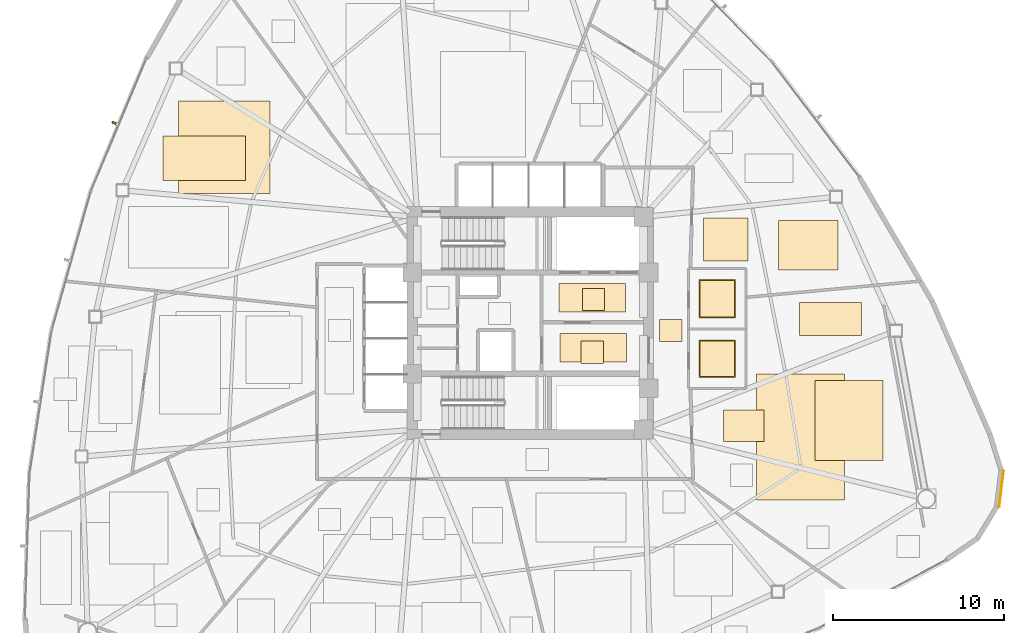
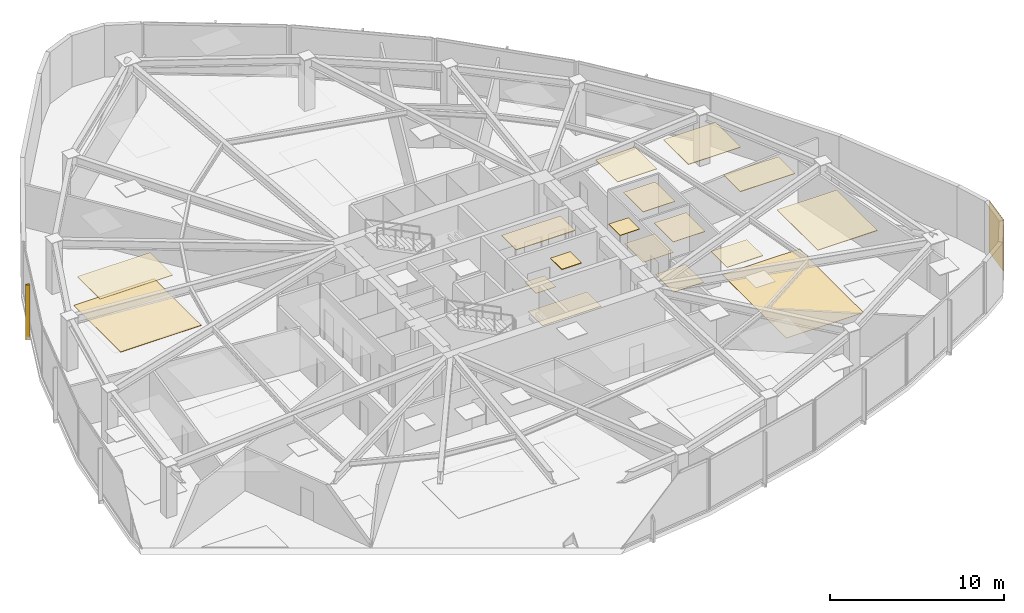
# One storey, part 16 of 17: 18 coverings, 1 shading device.
"""IFC4 building model written with IfcOpenShell, lengths in metres."""

from ifc_helpers import new_model, si_unit, direction, frame, origin, origin_2d, place, context, subcontext, project, spatial, polyline, rectangle, outline, extrude, source, transform, mapped, material, layer, layer_set, type_object, type_shapes, element, save


model = new_model("IFC4")

# Units and contexts
model_context = context("Model", 3, precision=1e-05, world=origin(), true_north=direction((0.0, 1.0)))
body_context = subcontext(model_context, "Body", "Model", "MODEL_VIEW")
ifc_project = project(units=[si_unit("LENGTHUNIT", "METRE"), si_unit("AREAUNIT", "SQUARE_METRE"), si_unit("VOLUMEUNIT", "CUBIC_METRE"), si_unit("PLANEANGLEUNIT", "RADIAN"), si_unit("MASSUNIT", "GRAM", prefix="KILO")], contexts=[model_context])

# Site, building, storey
site_placement = place(None, origin())
site = spatial("IfcSite", under=ifc_project, at=site_placement, CompositionType="ELEMENT")
building_placement = place(site_placement, origin())
building = spatial("IfcBuilding", under=site, at=building_placement, Name="Tavelor Broadcast Tower", CompositionType="ELEMENT")
storey_placement = place(building_placement, frame((0.0, 0.0, 70.5)))
storey = spatial("IfcBuildingStorey", under=building, at=storey_placement, Name="L16", CompositionType="ELEMENT", Elevation=70.5)

# Coverings
ifc_material_1 = material(Name="Copper-Bronze Anodized Aluminium", Category="aluminium")
ifc_layer_1 = layer(ifc_material_1, 0.044921875)
ifc_layer_set_1 = layer_set([ifc_layer_1], Name="Copper-Bronze Anodized Aluminium")
covering_type_1 = type_object("IfcCoveringType", Name="Anodised Bronze Linear Slatted Concourse Ceiling 45 mm", PredefinedType="CEILING", material=ifc_layer_set_1)
covering_1_placement = place(storey_placement, frame((0.0, 0.0, 3.554931640625)))
element("IfcCovering", 1, at=covering_1_placement, inside=storey, type_object=covering_type_1, Name="L16 Suspended Acoustic Ceiling 0636", PredefinedType="CEILING", context=body_context, shape_type="SweptSolid", body=[
    extrude(outline(polyline([(51.659912109375, 45.654296875), (55.55712890625, 45.654296875), (55.55712890625, 47.331787109375), (51.659912109375, 47.331787109375), (51.659912109375, 45.654296875)])), origin(), (0.0, 0.0, 1.0), 0.045166015625),
])
covering_2_placement = place(storey_placement, frame((0.0, 0.0, 3.554931640625)))
element("IfcCovering", 2, at=covering_2_placement, inside=storey, type_object=covering_type_1, Name="L16 Suspended Acoustic Ceiling 0637", PredefinedType="CEILING", context=body_context, shape_type="SweptSolid", body=[
    extrude(outline(polyline([(52.95361328125, 42.656982421875), (54.25341796875, 42.656982421875), (54.25341796875, 43.95703125), (52.95361328125, 43.95703125), (52.95361328125, 42.656982421875)])), origin(), (0.0, 0.0, 1.0), 0.045166015625),
])
ifc_layer_2 = layer(ifc_material_1, 0.050048828125)
ifc_layer_set_2 = layer_set([ifc_layer_2], Name="Copper-Bronze Anodized Aluminium")
covering_type_2 = type_object("IfcCoveringType", Name="Champagne-Bronze Corner Pier Metal Cladding 50 mm", PredefinedType="CLADDING", material=ifc_layer_set_2)
covering_3_placement = place(storey_placement, frame((77.4912109375, 35.323974609375, 0.02001953125), z_axis=(0.0, 0.0, 1.0), x_axis=(0.122735456807, 0.992439422656, 0.0)))
element("IfcCovering", 3, at=covering_3_placement, inside=storey, type_object=covering_type_2, Name="L16 Champagne-Bronze Corner Cladding 23", PredefinedType="CLADDING", context=body_context, shape_type="SweptSolid", body=[
    extrude(rectangle(XDim=2.1240234375, YDim=0.050048828125, at=origin_2d()), origin(), (0.0, 0.0, 1.0), 3.56005859375),
])
ifc_material_2 = material(Name="Architectural Anodized Aluminium", Category="aluminium")
ifc_layer_3 = layer(ifc_material_2, 0.034912109375)
ifc_layer_set_3 = layer_set([ifc_layer_3], Name="Architectural Anodized Aluminium")
covering_type_3 = type_object("IfcCoveringType", Name="Demountable Metal Tile Corridor Ceiling 35 mm", PredefinedType="CEILING", material=ifc_layer_set_3)
covering_4_placement = place(storey_placement, frame((0.0, 0.0, 3.56494140625)))
element("IfcCovering", 4, at=covering_4_placement, inside=storey, type_object=covering_type_3, Name="L16 Suspended Acoustic Ceiling 0640", PredefinedType="CEILING", context=body_context, shape_type="SweptSolid", body=[
    extrude(outline(polyline([(57.5400390625, 43.925048828125), (58.840087890625, 43.925048828125), (58.840087890625, 45.22509765625), (57.5400390625, 45.22509765625), (57.5400390625, 43.925048828125)])), origin(), (0.0, 0.0, 1.0), 0.03515625),
])
ifc_material_3 = material(Name="Acoustic Nylon Carpet Tile")
ifc_layer_4 = layer(ifc_material_3, 0.02001953125)
ifc_layer_set_4 = layer_set([ifc_layer_4], Name="Acoustic Nylon Carpet Tile")
covering_type_4 = type_object("IfcCoveringType", Name="Heavy-Duty Acoustic Broadcast Carpet Tile 20 mm", PredefinedType="FLOORING", material=ifc_layer_set_4)
covering_5_placement = place(storey_placement, origin())
element("IfcCovering", 5, at=covering_5_placement, inside=storey, type_object=covering_type_4, Name="L16 Broadcast Floor Finish 0228", PredefinedType="FLOORING", context=body_context, shape_type="SweptSolid", body=[
    extrude(outline(polyline([(29.46923828125, 52.567626953125), (34.80908203125, 52.567626953125), (34.80908203125, 57.960693359375), (29.46923828125, 57.960693359375), (29.46923828125, 52.567626953125)])), origin(), (0.0, 0.0, 1.0), 0.02001953125),
])
covering_6_placement = place(storey_placement, origin())
element("IfcCovering", 6, at=covering_6_placement, inside=storey, type_object=covering_type_4, Name="L16 Broadcast Floor Finish 0231", PredefinedType="FLOORING", context=body_context, shape_type="SweptSolid", body=[
    extrude(outline(polyline([(63.2119140625, 34.68310546875), (68.332275390625, 34.68310546875), (68.332275390625, 42.036865234375), (63.2119140625, 42.036865234375), (63.2119140625, 34.68310546875)])), origin(), (0.0, 0.0, 1.0), 0.02001953125),
])
ifc_material_4 = material(Name="Honed Natural Limestone Tile", Category="masonry")
ifc_layer_5 = layer(ifc_material_4, 0.030029296875)
ifc_layer_set_5 = layer_set([ifc_layer_5], Name="Honed Natural Limestone Tile")
covering_type_5 = type_object("IfcCoveringType", Name="Honed Jerusalem Limestone Concourse Flooring 30 mm", PredefinedType="FLOORING", material=ifc_layer_set_5)
covering_7_placement = place(storey_placement, origin())
element("IfcCovering", 7, at=covering_7_placement, inside=storey, type_object=covering_type_5, Name="L16 Broadcast Floor Finish 0220", PredefinedType="FLOORING", context=body_context, shape_type="SweptSolid", body=[
    extrude(outline(polyline([(53.030029296875, 45.728515625), (54.330078125, 45.728515625), (54.330078125, 47.028564453125), (53.030029296875, 47.028564453125), (53.030029296875, 45.728515625)])), origin(), (0.0, 0.0, 1.0), 0.030029296875),
])
covering_8_placement = place(storey_placement, origin())
element("IfcCovering", 8, at=covering_8_placement, inside=storey, type_object=covering_type_5, Name="L16 Broadcast Floor Finish 0221", PredefinedType="FLOORING", context=body_context, shape_type="SweptSolid", body=[
    extrude(outline(polyline([(51.728759765625, 42.743408203125), (55.62109375, 42.743408203125), (55.62109375, 44.396484375), (51.728759765625, 44.396484375), (51.728759765625, 42.743408203125)])), origin(), (0.0, 0.0, 1.0), 0.030029296875),
])
ifc_layer_6 = layer(ifc_material_2, 0.030029296875)
ifc_layer_set_6 = layer_set([ifc_layer_6], Name="Architectural Anodized Aluminium")
covering_type_6 = type_object("IfcCoveringType", Name="Moisture-Resistant Washroom Ceiling 30 mm", PredefinedType="CEILING", material=ifc_layer_set_6)
covering_9_placement = place(storey_placement, frame((0.0, 0.0, 3.570068359375)))
element("IfcCovering", 9, at=covering_9_placement, inside=storey, type_object=covering_type_6, Name="L16 Suspended Acoustic Ceiling 0643", PredefinedType="CEILING", context=body_context, shape_type="SweptSolid", body=[
    extrude(outline(polyline([(59.85302734375, 41.828369140625), (61.967041015625, 41.828369140625), (61.967041015625, 44.021484375), (59.85302734375, 44.021484375), (59.85302734375, 41.828369140625)])), origin(), (0.0, 0.0, 1.0), 0.030029296875),
])
covering_10_placement = place(storey_placement, frame((0.0, 0.0, 3.570068359375)))
element("IfcCovering", 10, at=covering_10_placement, inside=storey, type_object=covering_type_6, Name="L16 Suspended Acoustic Ceiling 0644", PredefinedType="CEILING", context=body_context, shape_type="SweptSolid", body=[
    extrude(outline(polyline([(59.85302734375, 45.29248046875), (61.967041015625, 45.29248046875), (61.967041015625, 47.5576171875), (59.85302734375, 47.5576171875), (59.85302734375, 45.29248046875)])), origin(), (0.0, 0.0, 1.0), 0.030029296875),
])
ifc_material_5 = material(Name="Slip-Resistant Porcelain Tile")
ifc_layer_7 = layer(ifc_material_5, 0.02490234375)
ifc_layer_set_7 = layer_set([ifc_layer_7], Name="Slip-Resistant Porcelain Tile")
covering_type_7 = type_object("IfcCoveringType", Name="Slip-Resistant Porcelain Wet-Area Floor Tile 25 mm", PredefinedType="FLOORING", material=ifc_layer_set_7)
covering_11_placement = place(storey_placement, origin())
element("IfcCovering", 11, at=covering_11_placement, inside=storey, type_object=covering_type_7, Name="L16 Broadcast Floor Finish 0223", PredefinedType="FLOORING", context=body_context, shape_type="SweptSolid", body=[
    extrude(outline(polyline([(59.91064453125, 41.885986328125), (61.909423828125, 41.885986328125), (61.909423828125, 43.964111328125), (59.91064453125, 43.964111328125), (59.91064453125, 41.885986328125)])), origin(), (0.0, 0.0, 1.0), 0.02490234375),
])
covering_12_placement = place(storey_placement, origin())
element("IfcCovering", 12, at=covering_12_placement, inside=storey, type_object=covering_type_7, Name="L16 Broadcast Floor Finish 0224", PredefinedType="FLOORING", context=body_context, shape_type="SweptSolid", body=[
    extrude(outline(polyline([(59.91064453125, 45.35009765625), (61.909423828125, 45.35009765625), (61.909423828125, 47.5), (59.91064453125, 47.5), (59.91064453125, 45.35009765625)])), origin(), (0.0, 0.0, 1.0), 0.02490234375),
])
ifc_material_6 = material(Name="Acoustic Mineral Fibre Tile")
ifc_layer_8 = layer(ifc_material_6, 0.0400390625)
ifc_layer_set_8 = layer_set([ifc_layer_8], Name="Acoustic Mineral Fibre Tile")
covering_type_8 = type_object("IfcCoveringType", Name="Suspended Acoustic Mineral-Fibre Office Ceiling 40 mm", PredefinedType="CEILING", material=ifc_layer_set_8)
covering_13_placement = place(storey_placement, frame((0.0, 0.0, 3.56005859375)))
element("IfcCovering", 13, at=covering_13_placement, inside=storey, type_object=covering_type_8, Name="L16 Suspended Acoustic Ceiling 0660", PredefinedType="CEILING", context=body_context, shape_type="SweptSolid", body=[
    extrude(outline(polyline([(28.539306640625, 53.31689453125), (33.35888671875, 53.31689453125), (33.35888671875, 55.922607421875), (28.539306640625, 55.922607421875), (28.539306640625, 53.31689453125)])), origin(), (0.0, 0.0, 1.0), 0.0400390625),
])
covering_14_placement = place(storey_placement, frame((0.0, 0.0, 3.56005859375)))
element("IfcCovering", 14, at=covering_14_placement, inside=storey, type_object=covering_type_8, Name="L16 Suspended Acoustic Ceiling 0667", PredefinedType="CEILING", context=body_context, shape_type="SweptSolid", body=[
    extrude(outline(polyline([(64.484375, 48.11279296875), (67.945068359375, 48.11279296875), (67.945068359375, 50.985107421875), (64.484375, 50.985107421875), (64.484375, 48.11279296875)])), origin(), (0.0, 0.0, 1.0), 0.0400390625),
])
covering_15_placement = place(storey_placement, frame((0.0, 0.0, 3.56005859375)))
element("IfcCovering", 15, at=covering_15_placement, inside=storey, type_object=covering_type_8, Name="L16 Suspended Acoustic Ceiling 0668", PredefinedType="CEILING", context=body_context, shape_type="SweptSolid", body=[
    extrude(outline(polyline([(60.101318359375, 48.6298828125), (62.71533203125, 48.6298828125), (62.71533203125, 51.154052734375), (60.101318359375, 51.154052734375), (60.101318359375, 48.6298828125)])), origin(), (0.0, 0.0, 1.0), 0.0400390625),
])
covering_16_placement = place(storey_placement, frame((0.0, 0.0, 3.56005859375)))
element("IfcCovering", 16, at=covering_16_placement, inside=storey, type_object=covering_type_8, Name="L16 Suspended Acoustic Ceiling 0670", PredefinedType="CEILING", context=body_context, shape_type="SweptSolid", body=[
    extrude(outline(polyline([(61.26513671875, 38.083740234375), (63.6337890625, 38.083740234375), (63.6337890625, 39.936279296875), (61.26513671875, 39.936279296875), (61.26513671875, 38.083740234375)])), origin(), (0.0, 0.0, 1.0), 0.0400390625),
])
covering_17_placement = place(storey_placement, frame((0.0, 0.0, 3.56005859375)))
element("IfcCovering", 17, at=covering_17_placement, inside=storey, type_object=covering_type_8, Name="L16 Suspended Acoustic Ceiling 0671", PredefinedType="CEILING", context=body_context, shape_type="SweptSolid", body=[
    extrude(outline(polyline([(65.709228515625, 44.26953125), (69.330810546875, 44.26953125), (69.330810546875, 46.205078125), (65.709228515625, 46.205078125), (65.709228515625, 44.26953125)])), origin(), (0.0, 0.0, 1.0), 0.0400390625),
])
covering_18_placement = place(storey_placement, frame((0.0, 0.0, 3.56005859375)))
element("IfcCovering", 18, at=covering_18_placement, inside=storey, type_object=covering_type_8, Name="L16 Suspended Acoustic Ceiling 0672", PredefinedType="CEILING", context=body_context, shape_type="SweptSolid", body=[
    extrude(outline(polyline([(66.62158203125, 36.977294921875), (70.56982421875, 36.977294921875), (70.56982421875, 41.652587890625), (66.62158203125, 41.652587890625), (66.62158203125, 36.977294921875)])), origin(), (0.0, 0.0, 1.0), 0.0400390625),
])

# Shading device
ifc_material_7 = material(Name="Kiln-Fired Glazed Terracotta", Category="masonry")
shading_device_type = type_object("IfcShadingDeviceType", Name="Extruded Terracotta Baguette Sun-Screen 110x240", PredefinedType="JALOUSIE", material=ifc_material_7)
shared_shape = source(origin(), body_context, "Body", "SweptSolid", [
    extrude(rectangle(XDim=0.110107421875, YDim=0.239990234375, at=origin_2d()), origin(), (0.0, 0.0, 1.0), 3.840087890625),
])
type_shapes(shading_device_type, [shared_shape])
shading_device_placement = place(storey_placement, frame((25.69140625, 56.69580078125, -0.26025390625), z_axis=(0.0, 0.0, 1.0), x_axis=(-0.385422949633, -0.922740022919, 0.0)))
element("IfcShadingDevice", 19, at=shading_device_placement, inside=storey, type_object=shading_device_type, Name="L16 Terracotta Baguette Fin 145", PredefinedType="JALOUSIE", context=body_context, shape_type="MappedRepresentation", body=[
    mapped(shared_shape, transform((0.0, 0.0, 0.0), scale=1.0)),
])

save(model, "model.ifc")
